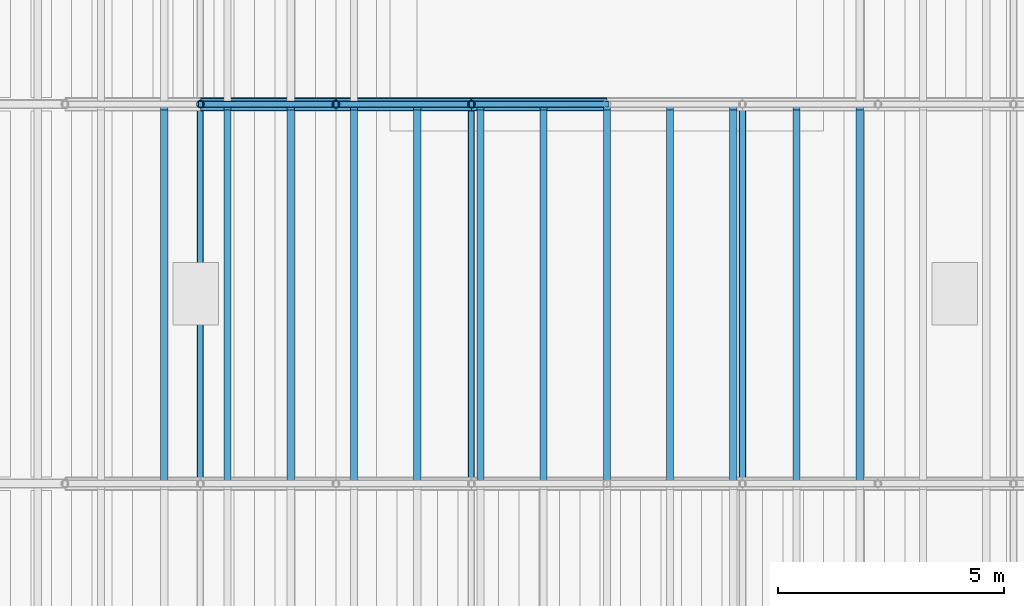
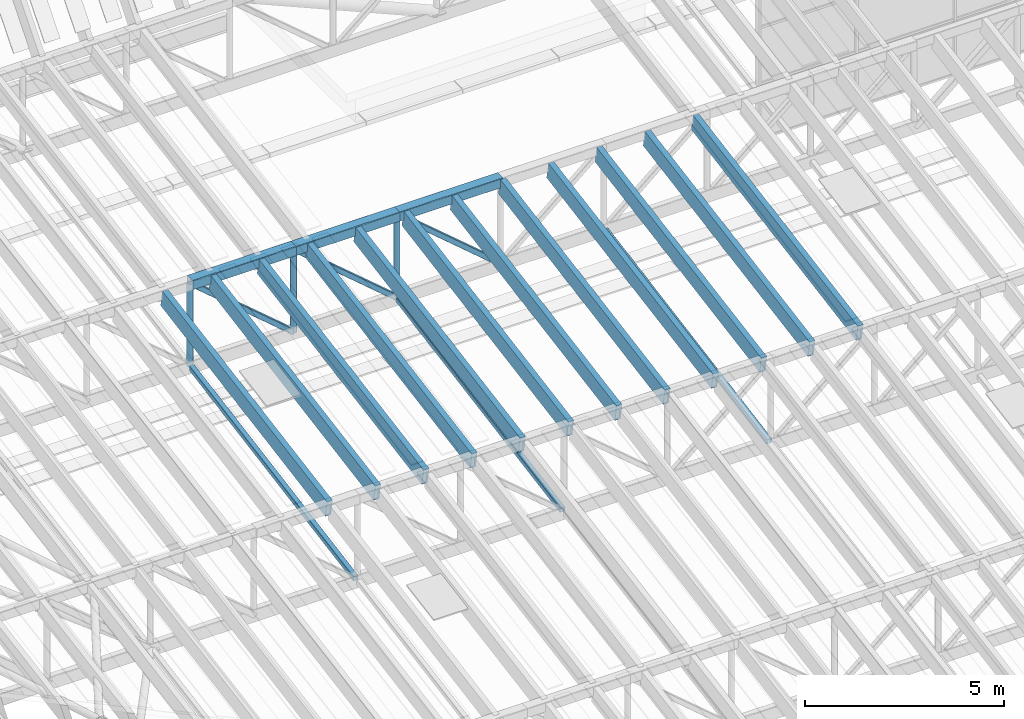
# One storey, part 40 of 91: 24 members.
"""IFC4 building model written with IfcOpenShell, lengths in metres."""

from ifc_helpers import new_model, si_unit, direction, frame, origin, origin_2d, place, context, subcontext, project, spatial, rectangle, hollow_rectangle, hollow_circle, extrude, material, material_profile, profile_set, type_object, element, save


model = new_model("IFC4")

# Units and contexts
model_context = context("Model", 3, precision=1e-05, world=origin(), true_north=direction((0.0, 1.0)))
body_context = subcontext(model_context, "Body", "Model", "MODEL_VIEW")
ifc_project = project(units=[si_unit("LENGTHUNIT", "METRE"), si_unit("AREAUNIT", "SQUARE_METRE"), si_unit("VOLUMEUNIT", "CUBIC_METRE"), si_unit("PLANEANGLEUNIT", "RADIAN"), si_unit("MASSUNIT", "GRAM", prefix="KILO")], contexts=[model_context])

# Site, building, storey
site_placement = place(None, origin())
site = spatial("IfcSite", under=ifc_project, at=site_placement, CompositionType="ELEMENT")
building_placement = place(site_placement, origin())
building = spatial("IfcBuilding", under=site, at=building_placement, Name="Almond Square Museum", CompositionType="ELEMENT")
storey_placement = place(building_placement, frame((0.0, 0.0, 30.0)))
storey = spatial("IfcBuildingStorey", under=building, at=storey_placement, Name="L05", CompositionType="ELEMENT", Elevation=30.0)

# Members
ifc_material_1 = material(Name="Glulam GL28h", Category="wood")
ifc_material_profile_1 = material_profile(ifc_material_1, rectangle(XDim=0.159912109375, YDim=0.5, at=origin_2d()))
ifc_profile_set_1 = profile_set([ifc_material_profile_1], Name="Glulam GL28h")
member_type_1 = type_object("IfcMemberType", Name="Glulam rafter GL28h 160x500", PredefinedType="RAFTER", material=ifc_profile_set_1)
for number, where, z_axis, x_axis, name in (
    (1, (118.0, 92.429931640625, 13.5), (0.0, 0.985032439013, 0.172369063618), (-1.0, 0.0, 0.0), "Hall rafter 6.9"),
    (2, (119.39990234375, 92.429931640625, 13.5), (0.0, 0.985032439013, 0.172369063618), (-1.0, 0.0, 0.0), "Hall rafter 6.10"),
    (3, (120.800048828125, 92.429931640625, 13.5), (0.0, 0.985032439013, 0.172369063618), (-1.0, 0.0, 0.0), "Hall rafter 6.11"),
    (4, (122.199951171875, 92.429931640625, 13.5), (0.0, 0.985032439013, 0.172369063618), (-1.0, 0.0, 0.0), "Hall rafter 6.12"),
    (5, (123.60009765625, 92.429931640625, 13.5), (0.0, 0.985032439013, 0.172369063618), (-1.0, 0.0, 0.0), "Hall rafter 6.13"),
    (6, (125.0, 92.429931640625, 13.5), (0.0, 0.985032439013, 0.172369063618), (-1.0, 0.0, 0.0), "Hall rafter 6.14"),
    (7, (126.39990234375, 92.429931640625, 13.5), (0.0, 0.985032439013, 0.172369063618), (-1.0, 0.0, 0.0), "Hall rafter 6.15"),
    (8, (127.800048828125, 92.429931640625, 13.5), (0.0, 0.985032439013, 0.172369063618), (-1.0, 0.0, 0.0), "Hall rafter 6.16"),
    (9, (129.199951171875, 92.429931640625, 13.5), (0.0, 0.985032439013, 0.172369063618), (-1.0, 0.0, 0.0), "Hall rafter 6.17"),
    (10, (130.60009765625, 92.429931640625, 13.5), (0.0, 0.985032439013, 0.172369063618), (-1.0, 0.0, 0.0), "Hall rafter 6.18"),
    (11, (132.0, 92.429931640625, 13.5), (0.0, 0.985032439013, 0.172369063618), (-1.0, 0.0, 0.0), "Hall rafter 6.19"),
    (12, (133.39990234375, 92.429931640625, 13.5), (0.0, 0.985032439013, 0.172369063618), (-1.0, 0.0, 0.0), "Hall rafter 6.20"),
):
    element("IfcMember", number, at=place(storey_placement, frame(where, z_axis=z_axis, x_axis=x_axis)), inside=storey, type_object=member_type_1, Name=name, PredefinedType="RAFTER", context=body_context, shape_type="SweptSolid", body=[
        extrude(rectangle(XDim=0.159912109375, YDim=0.5, at=origin_2d()), origin(), (0.0, 0.0, 1.0), 8.4091796875),
    ])
ifc_material_2 = material(Name="Structural steel S355", Category="steel")
ifc_material_profile_2 = material_profile(ifc_material_2, hollow_rectangle(XDim=0.300048828125, YDim=0.300048828125, WallThickness=0.012451171875, InnerFilletRadius=0.02490234375, OuterFilletRadius=0.03759765625, at=origin_2d()))
ifc_profile_set_2 = profile_set([ifc_material_profile_2], Name="Structural steel S355")
member_type_2 = type_object("IfcMemberType", Name="Truss chord SHS 300x300x12.5", PredefinedType="CHORD", material=ifc_profile_set_2)
for number, where, z_axis, x_axis, name in (
    (13, (118.800048828125, 100.800048828125, 15.068603515625), (1.0, 0.0, 0.0), (0.0, 1.0, 0.0), "TR-07 top chord 5"),
    (14, (121.800048828125, 100.800048828125, 15.068603515625), (1.0, 0.0, 0.0), (0.0, 1.0, 0.0), "TR-07 top chord 6"),
    (15, (124.800048828125, 100.800048828125, 15.068603515625), (1.0, 0.0, 0.0), (0.0, 1.0, 0.0), "TR-07 top chord 7"),
):
    element("IfcMember", number, at=place(storey_placement, frame(where, z_axis=z_axis, x_axis=x_axis)), inside=storey, type_object=member_type_2, Name=name, PredefinedType="CHORD", context=body_context, shape_type="SweptSolid", body=[
        extrude(hollow_rectangle(XDim=0.300048828125, YDim=0.300048828125, WallThickness=0.012451171875, InnerFilletRadius=0.02490234375, OuterFilletRadius=0.03759765625, at=origin_2d()), origin(), (0.0, 0.0, 1.0), 3.0),
    ])
ifc_material_3 = material(Name="Structural steel S355", Category="steel")
ifc_material_profile_3 = material_profile(ifc_material_3, hollow_rectangle(XDim=0.14990234375, YDim=0.14990234375, WallThickness=0.008056640625, InnerFilletRadius=0.011962890625, OuterFilletRadius=0.02001953125, at=origin_2d()))
ifc_profile_set_3 = profile_set([ifc_material_profile_3], Name="Structural steel S355")
member_type_3 = type_object("IfcMemberType", Name="Truss diagonal SHS 150x150x8", PredefinedType="BRACE", material=ifc_profile_set_3)
for number, where, z_axis, x_axis, name in (
    (16, (118.800048828125, 100.800048828125, 15.068603515625), (0.762116801264, 0.0, -0.647439557975), (0.0, 1.0, 0.0), "TR-07 diagonal 5"),
    (17, (121.800048828125, 100.800048828125, 15.068603515625), (0.762116801264, 0.0, -0.647439557975), (0.0, 1.0, 0.0), "TR-07 diagonal 6"),
    (18, (124.800048828125, 100.800048828125, 15.068603515625), (0.762116801264, 0.0, -0.647439557975), (0.0, 1.0, 0.0), "TR-07 diagonal 7"),
):
    element("IfcMember", number, at=place(storey_placement, frame(where, z_axis=z_axis, x_axis=x_axis)), inside=storey, type_object=member_type_3, Name=name, PredefinedType="BRACE", context=body_context, shape_type="SweptSolid", body=[
        extrude(hollow_rectangle(XDim=0.14990234375, YDim=0.14990234375, WallThickness=0.008056640625, InnerFilletRadius=0.011962890625, OuterFilletRadius=0.02001953125, at=origin_2d()), origin(), (0.0, 0.0, 1.0), 3.9365234375),
    ])
ifc_material_4 = material(Name="Structural steel S355", Category="steel")
ifc_material_profile_4 = material_profile(ifc_material_4, hollow_circle(Radius=0.084228515625, WallThickness=0.008056640625, at=origin_2d()))
ifc_profile_set_4 = profile_set([ifc_material_profile_4], Name="Structural steel S355")
member_type_4 = type_object("IfcMemberType", Name="Truss post CHS 168.3x8", PredefinedType="POST", material=ifc_profile_set_4)
for number, where, z_axis, x_axis, name in (
    (19, (118.800048828125, 100.800048828125, 12.52001953125), (0.0, 0.0, 1.0), (1.0, 0.0, 0.0), "TR-07 post 5"),
    (20, (121.800048828125, 100.800048828125, 12.52001953125), (0.0, 0.0, 1.0), (1.0, 0.0, 0.0), "TR-07 post 6"),
    (21, (124.800048828125, 100.800048828125, 12.52001953125), (0.0, 0.0, 1.0), (1.0, 0.0, 0.0), "TR-07 post 7"),
):
    element("IfcMember", number, at=place(storey_placement, frame(where, z_axis=z_axis, x_axis=x_axis)), inside=storey, type_object=member_type_4, Name=name, PredefinedType="POST", context=body_context, shape_type="SweptSolid", body=[
        extrude(hollow_circle(Radius=0.084228515625, WallThickness=0.008056640625, at=origin_2d()), origin(), (0.0, 0.0, 1.0), 2.548583984375),
    ])
ifc_material_5 = material(Name="Structural steel S355", Category="steel")
ifc_material_profile_5 = material_profile(ifc_material_5, hollow_rectangle(XDim=0.14990234375, YDim=0.14990234375, WallThickness=0.008056640625, InnerFilletRadius=0.011962890625, OuterFilletRadius=0.02001953125, at=origin_2d()))
ifc_profile_set_5 = profile_set([ifc_material_profile_5], Name="Structural steel S355")
member_type_5 = type_object("IfcMemberType", Name="Truss tie SHS 150x150x8", PredefinedType="MEMBER", material=ifc_profile_set_5)
for number, where, z_axis, x_axis, name in (
    (22, (118.800048828125, 92.47509765625, 11.050048828125), (0.0, 0.984494486924, 0.175415521596), (-1.0, 0.0, 0.0), "Hall bay 6 tie 3"),
    (23, (124.800048828125, 92.47509765625, 11.050048828125), (0.0, 0.984494486924, 0.175415521596), (-1.0, 0.0, 0.0), "Hall bay 6 tie 4"),
    (24, (130.800048828125, 92.47509765625, 11.050048828125), (0.0, 0.984494486924, 0.175415521596), (-1.0, 0.0, 0.0), "Hall bay 6 tie 5"),
):
    element("IfcMember", number, at=place(storey_placement, frame(where, z_axis=z_axis, x_axis=x_axis)), inside=storey, type_object=member_type_5, Name=name, PredefinedType="MEMBER", context=body_context, shape_type="SweptSolid", body=[
        extrude(hollow_rectangle(XDim=0.14990234375, YDim=0.14990234375, WallThickness=0.008056640625, InnerFilletRadius=0.011962890625, OuterFilletRadius=0.02001953125, at=origin_2d()), origin(), (0.0, 0.0, 1.0), 8.3798828125),
    ])

save(model, "model.ifc")
